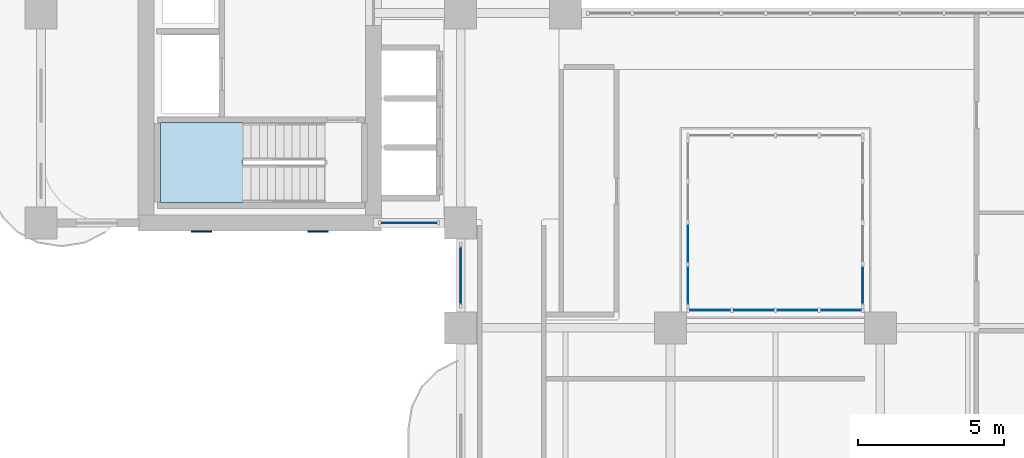
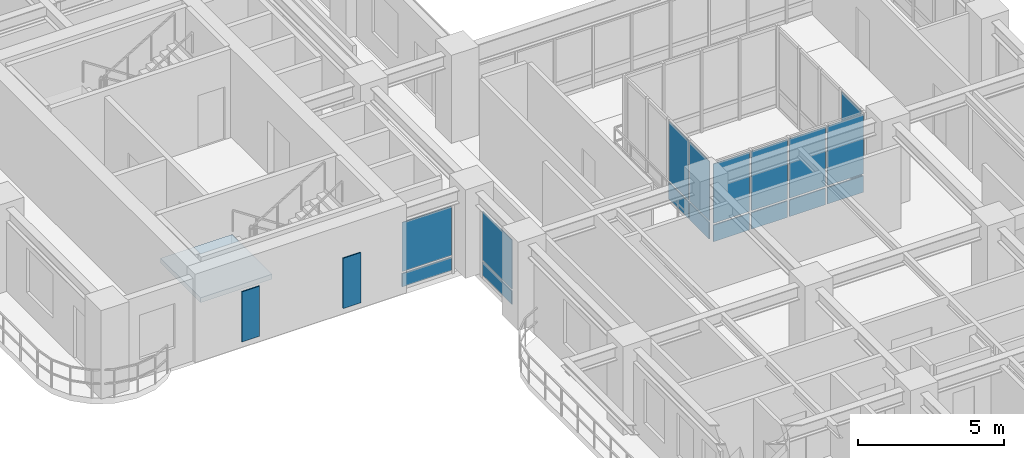
# One storey, part 9 of 22: 20 plates, 1 slab, 6 elements without a shape of their own.
"""IFC4 building model written with IfcOpenShell, lengths in metres."""

from ifc_helpers import new_model, si_unit, derived_unit, direction, frame, origin, origin_2d, place, context, subcontext, project, spatial, polyline, rectangle, outline, extrude, source, transform, mapped, material, layer, layer_set, type_object, type_shapes, element, aggregate, save


model = new_model("IFC4")

# Units and contexts
model_context = context("Model", 3, precision=1e-05, world=origin(), true_north=direction((0.0, 1.0)))
body_context = subcontext(model_context, "Body", "Model", "MODEL_VIEW")
ifc_project = project(units=[si_unit("LENGTHUNIT", "METRE"), si_unit("AREAUNIT", "SQUARE_METRE"), si_unit("VOLUMEUNIT", "CUBIC_METRE"), si_unit("PLANEANGLEUNIT", "RADIAN"), si_unit("MASSUNIT", "GRAM", prefix="KILO"), si_unit("THERMODYNAMICTEMPERATUREUNIT", "KELVIN"), si_unit("POWERUNIT", "WATT"), derived_unit("THERMALTRANSMITTANCEUNIT", [(si_unit("POWERUNIT", "WATT"), 1), (si_unit("AREAUNIT", "SQUARE_METRE"), -1), (si_unit("THERMODYNAMICTEMPERATUREUNIT", "KELVIN"), -1)])], contexts=[model_context])

# Site, building, storey
site_placement = place(None, origin())
site = spatial("IfcSite", under=ifc_project, at=site_placement, CompositionType="ELEMENT")
building_placement = place(site_placement, origin())
building = spatial("IfcBuilding", under=site, at=building_placement, Name="Zahravan Archway Hotel and Residences", CompositionType="ELEMENT")
storey_placement = place(building_placement, frame((0.0, 0.0, 80.5)))
storey = spatial("IfcBuildingStorey", under=building, at=storey_placement, Name="L19", CompositionType="ELEMENT", Elevation=80.5)

# Stair, slab
ifc_material_1 = material(Name="Concrete C50/60", Category="concrete")
stair_type = type_object("IfcStairType", Name="STR-CORE-1300", PredefinedType="HALF_TURN_STAIR", material=ifc_material_1)
stair_placement = place(storey_placement, origin())
stair = element("IfcStair", 1, at=stair_placement, inside=storey, type_object=stair_type, Name="L19 Core B Exit Stair 1", PredefinedType="HALF_TURN_STAIR")
ifc_layer_1 = layer(ifc_material_1, 0.199951171875, Name="Concrete C50/60", Category="concrete")
ifc_layer_set_1 = layer_set([ifc_layer_1], Name="Concrete C50/60")
slab_type = type_object("IfcSlabType", Name="SLB-LND-200", PredefinedType="LANDING", material=ifc_layer_set_1)
slab_placement = place(storey_placement, frame((0.0, 0.0, 1.64990234375)))
slab = element("IfcSlab", 2, at=slab_placement, type_object=slab_type, Name="ST-B1 landing 1", PredefinedType="LANDING", context=body_context, shape_type="SweptSolid", body=[
    extrude(outline(polyline([(6.929931640625, 28.639892578125), (4.10009765625, 28.639892578125), (4.10009765625, 25.89990234375), (6.929931640625, 25.89990234375), (6.929931640625, 28.639892578125)])), origin(), (0.0, 0.0, 1.0), 0.2001953125),
])
aggregate(stair, [slab])

# Plates
ifc_material_2 = material(Name="Perforated Cast Bronze Jali Lattice")
ifc_layer_2 = layer(ifc_material_2, 0.044921875, Name="Perforated Cast Bronze Jali Lattice")
ifc_layer_set_2 = layer_set([ifc_layer_2], Name="Perforated Cast Bronze Jali Lattice")
plate_type_1 = type_object("IfcPlateType", Name="PLT-JALI-BAY", PredefinedType="USERDEFINED", material=ifc_layer_set_2)
shared_shape_1 = source(origin(), body_context, "Body", "SweptSolid", [
    extrude(rectangle(XDim=0.699951171875, YDim=0.044921875, at=origin_2d()), origin(), (0.0, 0.0, 1.0), 2.10009765625),
])
type_shapes(plate_type_1, [shared_shape_1])
for number, where, z_axis, x_axis, name in (
    (3, (5.5, 24.906982421875, 0.25), (0.0, 0.0, 1.0), (1.0, 0.0, 0.0), "L19 Core B South Mughal Jali Screen 1"),
    (4, (9.5, 24.906982421875, 0.25), (0.0, 0.0, 1.0), (1.0, 0.0, 0.0), "L19 Core B South Mughal Jali Screen 2"),
):
    element("IfcPlate", number, at=place(storey_placement, frame(where, z_axis=z_axis, x_axis=x_axis)), inside=storey, type_object=plate_type_1, Name=name, ObjectType="SCREEN", PredefinedType="USERDEFINED", context=body_context, shape_type="MappedRepresentation", body=[
        mapped(shared_shape_1, transform((0.0, 0.0, 0.0), scale=1.0)),
    ])

# Curtain wall, plates
ifc_material_3 = material(Name="Bronze-Anodized Unitised Aluminium & Low-E Glass", Category="aluminium")
ifc_layer_3 = layer(ifc_material_3, 0.179931640625, Name="Bronze-Anodized Unitised Aluminium & Low-E Glass", Category="aluminium")
ifc_layer_set_3 = layer_set([ifc_layer_3], Name="Bronze-Anodized Unitised Aluminium & Low-E Glass")
curtain_wall_type = type_object("IfcCurtainWallType", Name="CW-ATR-GLAZ", PredefinedType="NOTDEFINED", material=ifc_layer_set_3)
curtain_wall_1_placement = place(storey_placement, origin())
curtain_wall_1 = element("IfcCurtainWall", 5, at=curtain_wall_1_placement, inside=storey, type_object=curtain_wall_type, Name="L19 Curtain Wall CW-L19-WB-SE-1", PredefinedType="NOTDEFINED")
ifc_material_4 = material(Name="Insulated Terracotta Spandrel Panel", Category="masonry")
ifc_layer_4 = layer(ifc_material_4, 0.0400390625, Name="Insulated Terracotta Spandrel Panel", Category="masonry")
ifc_layer_set_4 = layer_set([ifc_layer_4], Name="Insulated Terracotta Spandrel Panel")
plate_type_2 = type_object("IfcPlateType", Name="CWP-SPN-40", PredefinedType="SHEET", material=ifc_layer_set_4)
shared_shape_2 = source(origin(), body_context, "Body", "SweptSolid", [
    extrude(rectangle(XDim=1.93994140625, YDim=0.0400390625, at=origin_2d()), origin(), (0.0, 0.0, 1.0), 0.552490234375),
])
plate_1_placement = place(storey_placement, frame((12.6298828125, 25.199951171875, 0.10009765625), z_axis=(0.0, 0.0, 1.0), x_axis=(1.0, 0.0, 0.0)))
plate_1 = element("IfcPlate", 6, at=plate_1_placement, type_object=plate_type_2, Name="CW-L19-WB-SE-1 Spandrel Panel 0", PredefinedType="SHEET", context=body_context, shape_type="MappedRepresentation", body=[
    mapped(shared_shape_2, transform((0.0, 0.0, 0.0), scale=1.0)),
])
ifc_material_5 = material(Name="Double-Silver Low-E Insulated Vision Glass", Category="glass")
ifc_layer_5 = layer(ifc_material_5, 0.028076171875, Name="Double-Silver Low-E Insulated Vision Glass", Category="glass")
ifc_layer_set_5 = layer_set([ifc_layer_5], Name="Double-Silver Low-E Insulated Vision Glass")
plate_type_3 = type_object("IfcPlateType", Name="CWP-GLZ-28", PredefinedType="CURTAIN_PANEL", material=ifc_layer_set_5)
shared_shape_3 = source(origin(), body_context, "Body", "SweptSolid", [
    extrude(rectangle(XDim=1.93994140625, YDim=0.028076171875, at=origin_2d()), origin(), (0.0, 0.0, 1.0), 2.052490234375),
])
plate_2_placement = place(storey_placement, frame((12.6298828125, 25.199951171875, 0.732421875), z_axis=(0.0, 0.0, 1.0), x_axis=(1.0, 0.0, 0.0)))
plate_2 = element("IfcPlate", 7, at=plate_2_placement, type_object=plate_type_3, Name="CW-L19-WB-SE-1 Low-E Vision Panel 0", PredefinedType="CURTAIN_PANEL", context=body_context, shape_type="MappedRepresentation", body=[
    mapped(shared_shape_3, transform((0.0, 0.0, 0.0), scale=1.0)),
])
aggregate(curtain_wall_1, [plate_1, plate_2])

curtain_wall_2_placement = place(storey_placement, origin())
curtain_wall_2 = element("IfcCurtainWall", 8, at=curtain_wall_2_placement, inside=storey, type_object=curtain_wall_type, Name="L19 Curtain Wall CW-L19-WA-WLU-1", PredefinedType="NOTDEFINED")
shared_shape_4 = source(origin(), body_context, "Body", "SweptSolid", [
    extrude(rectangle(XDim=2.0, YDim=0.0400390625, at=origin_2d()), origin(), (0.0, 0.0, 1.0), 0.552490234375),
])
plate_3_placement = place(storey_placement, frame((14.39990234375, 23.39990234375, 0.10009765625), z_axis=(0.0, 0.0, 1.0), x_axis=(0.0, 1.0, 0.0)))
plate_3 = element("IfcPlate", 9, at=plate_3_placement, type_object=plate_type_2, Name="CW-L19-WA-WLU-1 Spandrel Panel 0", PredefinedType="SHEET", context=body_context, shape_type="MappedRepresentation", body=[
    mapped(shared_shape_4, transform((0.0, 0.0, 0.0), scale=1.0)),
])
shared_shape_5 = source(origin(), body_context, "Body", "SweptSolid", [
    extrude(rectangle(XDim=2.0, YDim=0.028076171875, at=origin_2d()), origin(), (0.0, 0.0, 1.0), 2.052490234375),
])
plate_4_placement = place(storey_placement, frame((14.39990234375, 23.39990234375, 0.732421875), z_axis=(0.0, 0.0, 1.0), x_axis=(0.0, 1.0, 0.0)))
plate_4 = element("IfcPlate", 10, at=plate_4_placement, type_object=plate_type_3, Name="CW-L19-WA-WLU-1 Low-E Vision Panel 0", PredefinedType="CURTAIN_PANEL", context=body_context, shape_type="MappedRepresentation", body=[
    mapped(shared_shape_5, transform((0.0, 0.0, 0.0), scale=1.0)),
])
aggregate(curtain_wall_2, [plate_3, plate_4])

curtain_wall_3_placement = place(storey_placement, origin())
curtain_wall_3 = element("IfcCurtainWall", 11, at=curtain_wall_3_placement, inside=storey, type_object=curtain_wall_type, Name="L19 Curtain Wall CW-ATR-L19-S-1", PredefinedType="NOTDEFINED")
shared_shape_6 = source(origin(), body_context, "Body", "SweptSolid", [
    extrude(rectangle(XDim=1.419921875, YDim=0.0400390625, at=origin_2d()), origin(), (0.0, 0.0, 1.0), 0.68798828125),
])
plate_5_placement = place(storey_placement, frame((22.949951171875, 22.199951171875, 0.10009765625), z_axis=(0.0, 0.0, 1.0), x_axis=(1.0, 0.0, 0.0)))
plate_5 = element("IfcPlate", 12, at=plate_5_placement, type_object=plate_type_2, Name="CW-ATR-L19-S-1 Spandrel Panel 0", PredefinedType="SHEET", context=body_context, shape_type="MappedRepresentation", body=[
    mapped(shared_shape_6, transform((0.0, 0.0, 0.0), scale=1.0)),
])
plate_6_placement = place(storey_placement, frame((24.449951171875, 22.199951171875, 0.10009765625), z_axis=(0.0, 0.0, 1.0), x_axis=(1.0, 0.0, 0.0)))
plate_6 = element("IfcPlate", 13, at=plate_6_placement, type_object=plate_type_2, Name="CW-ATR-L19-S-1 Spandrel Panel 1", PredefinedType="SHEET", context=body_context, shape_type="MappedRepresentation", body=[
    mapped(shared_shape_6, transform((0.0, 0.0, 0.0), scale=1.0)),
])
plate_7_placement = place(storey_placement, frame((25.949951171875, 22.199951171875, 0.10009765625), z_axis=(0.0, 0.0, 1.0), x_axis=(1.0, 0.0, 0.0)))
plate_7 = element("IfcPlate", 14, at=plate_7_placement, type_object=plate_type_2, Name="CW-ATR-L19-S-1 Spandrel Panel 2", PredefinedType="SHEET", context=body_context, shape_type="MappedRepresentation", body=[
    mapped(shared_shape_6, transform((0.0, 0.0, 0.0), scale=1.0)),
])
plate_8_placement = place(storey_placement, frame((27.449951171875, 22.199951171875, 0.10009765625), z_axis=(0.0, 0.0, 1.0), x_axis=(1.0, 0.0, 0.0)))
plate_8 = element("IfcPlate", 15, at=plate_8_placement, type_object=plate_type_2, Name="CW-ATR-L19-S-1 Spandrel Panel 3", PredefinedType="SHEET", context=body_context, shape_type="MappedRepresentation", body=[
    mapped(shared_shape_6, transform((0.0, 0.0, 0.0), scale=1.0)),
])
shared_shape_7 = source(origin(), body_context, "Body", "SweptSolid", [
    extrude(rectangle(XDim=1.419921875, YDim=0.028076171875, at=origin_2d()), origin(), (0.0, 0.0, 1.0), 2.48193359375),
])
plate_9_placement = place(storey_placement, frame((22.949951171875, 22.199951171875, 0.867919921875), z_axis=(0.0, 0.0, 1.0), x_axis=(1.0, 0.0, 0.0)))
plate_9 = element("IfcPlate", 16, at=plate_9_placement, type_object=plate_type_3, Name="CW-ATR-L19-S-1 Low-E Vision Panel 0", PredefinedType="CURTAIN_PANEL", context=body_context, shape_type="MappedRepresentation", body=[
    mapped(shared_shape_7, transform((0.0, 0.0, 0.0), scale=1.0)),
])
plate_10_placement = place(storey_placement, frame((24.449951171875, 22.199951171875, 0.867919921875), z_axis=(0.0, 0.0, 1.0), x_axis=(1.0, 0.0, 0.0)))
plate_10 = element("IfcPlate", 17, at=plate_10_placement, type_object=plate_type_3, Name="CW-ATR-L19-S-1 Low-E Vision Panel 1", PredefinedType="CURTAIN_PANEL", context=body_context, shape_type="MappedRepresentation", body=[
    mapped(shared_shape_7, transform((0.0, 0.0, 0.0), scale=1.0)),
])
plate_11_placement = place(storey_placement, frame((25.949951171875, 22.199951171875, 0.867919921875), z_axis=(0.0, 0.0, 1.0), x_axis=(1.0, 0.0, 0.0)))
plate_11 = element("IfcPlate", 18, at=plate_11_placement, type_object=plate_type_3, Name="CW-ATR-L19-S-1 Low-E Vision Panel 2", PredefinedType="CURTAIN_PANEL", context=body_context, shape_type="MappedRepresentation", body=[
    mapped(shared_shape_7, transform((0.0, 0.0, 0.0), scale=1.0)),
])
plate_12_placement = place(storey_placement, frame((27.449951171875, 22.199951171875, 0.867919921875), z_axis=(0.0, 0.0, 1.0), x_axis=(1.0, 0.0, 0.0)))
plate_12 = element("IfcPlate", 19, at=plate_12_placement, type_object=plate_type_3, Name="CW-ATR-L19-S-1 Low-E Vision Panel 3", PredefinedType="CURTAIN_PANEL", context=body_context, shape_type="MappedRepresentation", body=[
    mapped(shared_shape_7, transform((0.0, 0.0, 0.0), scale=1.0)),
])
aggregate(curtain_wall_3, [plate_5, plate_9, plate_6, plate_10, plate_7, plate_11, plate_8, plate_12])

curtain_wall_4_placement = place(storey_placement, origin())
curtain_wall_4 = element("IfcCurtainWall", 20, at=curtain_wall_4_placement, inside=storey, type_object=curtain_wall_type, Name="L19 Curtain Wall CW-ATR-L19-W-1", PredefinedType="NOTDEFINED")
shared_shape_8 = source(origin(), body_context, "Body", "SweptSolid", [
    extrude(rectangle(XDim=1.344970703125, YDim=0.0400390625, at=origin_2d()), origin(), (0.0, 0.0, 1.0), 0.68798828125),
])
plate_13_placement = place(storey_placement, frame((22.199951171875, 23.0625, 0.10009765625), z_axis=(0.0, 0.0, 1.0), x_axis=(0.0, 1.0, 0.0)))
plate_13 = element("IfcPlate", 21, at=plate_13_placement, type_object=plate_type_2, Name="CW-ATR-L19-W-1 Spandrel Panel 0", PredefinedType="SHEET", context=body_context, shape_type="MappedRepresentation", body=[
    mapped(shared_shape_8, transform((0.0, 0.0, 0.0), scale=1.0)),
])
plate_14_placement = place(storey_placement, frame((22.199951171875, 24.487548828125, 0.10009765625), z_axis=(0.0, 0.0, 1.0), x_axis=(0.0, 1.0, 0.0)))
plate_14 = element("IfcPlate", 22, at=plate_14_placement, type_object=plate_type_2, Name="CW-ATR-L19-W-1 Spandrel Panel 1", PredefinedType="SHEET", context=body_context, shape_type="MappedRepresentation", body=[
    mapped(shared_shape_8, transform((0.0, 0.0, 0.0), scale=1.0)),
])

# Curtain wall, plate
curtain_wall_5_placement = place(storey_placement, origin())
curtain_wall_5 = element("IfcCurtainWall", 23, at=curtain_wall_5_placement, inside=storey, type_object=curtain_wall_type, Name="L19 Curtain Wall CW-ATR-L19-E-1", PredefinedType="NOTDEFINED")
plate_15_placement = place(storey_placement, frame((28.199951171875, 23.0625, 0.10009765625), z_axis=(0.0, 0.0, 1.0), x_axis=(0.0, 1.0, 0.0)))
plate_15 = element("IfcPlate", 24, at=plate_15_placement, type_object=plate_type_2, Name="CW-ATR-L19-E-1 Spandrel Panel 0", PredefinedType="SHEET", context=body_context, shape_type="MappedRepresentation", body=[
    mapped(shared_shape_8, transform((0.0, 0.0, 0.0), scale=1.0)),
])

# Plate
shared_shape_9 = source(origin(), body_context, "Body", "SweptSolid", [
    extrude(rectangle(XDim=1.344970703125, YDim=0.028076171875, at=origin_2d()), origin(), (0.0, 0.0, 1.0), 2.48193359375),
])
plate_16_placement = place(storey_placement, frame((22.199951171875, 23.0625, 0.867919921875), z_axis=(0.0, 0.0, 1.0), x_axis=(0.0, 1.0, 0.0)))
plate_16 = element("IfcPlate", 25, at=plate_16_placement, type_object=plate_type_3, Name="CW-ATR-L19-W-1 Low-E Vision Panel 0", PredefinedType="CURTAIN_PANEL", context=body_context, shape_type="MappedRepresentation", body=[
    mapped(shared_shape_9, transform((0.0, 0.0, 0.0), scale=1.0)),
])

plate_17_placement = place(storey_placement, frame((22.199951171875, 24.487548828125, 0.867919921875), z_axis=(0.0, 0.0, 1.0), x_axis=(0.0, 1.0, 0.0)))
plate_17 = element("IfcPlate", 26, at=plate_17_placement, type_object=plate_type_3, Name="CW-ATR-L19-W-1 Low-E Vision Panel 1", PredefinedType="CURTAIN_PANEL", context=body_context, shape_type="MappedRepresentation", body=[
    mapped(shared_shape_9, transform((0.0, 0.0, 0.0), scale=1.0)),
])

aggregate(curtain_wall_4, [plate_13, plate_16, plate_14, plate_17])

plate_18_placement = place(storey_placement, frame((28.199951171875, 23.0625, 0.867919921875), z_axis=(0.0, 0.0, 1.0), x_axis=(0.0, 1.0, 0.0)))
plate_18 = element("IfcPlate", 27, at=plate_18_placement, type_object=plate_type_3, Name="CW-ATR-L19-E-1 Low-E Vision Panel 0", PredefinedType="CURTAIN_PANEL", context=body_context, shape_type="MappedRepresentation", body=[
    mapped(shared_shape_9, transform((0.0, 0.0, 0.0), scale=1.0)),
])

aggregate(curtain_wall_5, [plate_15, plate_18])

save(model, "model.ifc")
